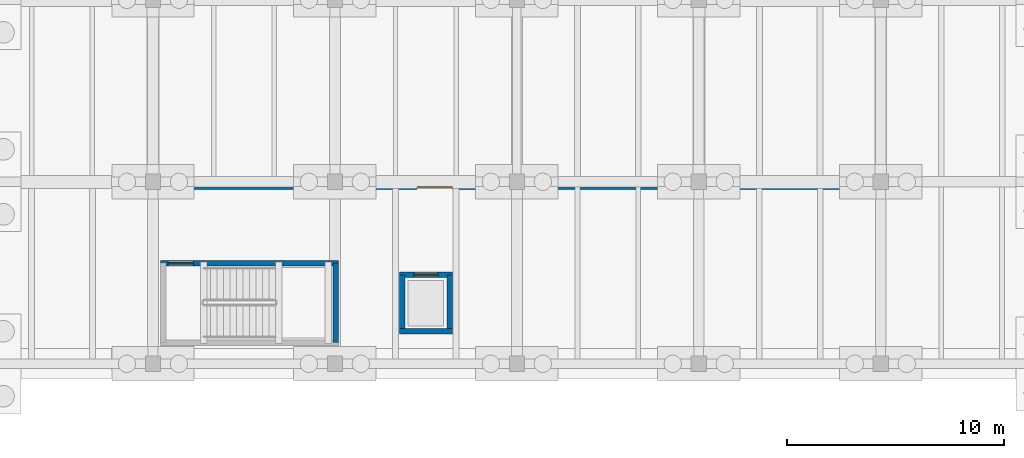
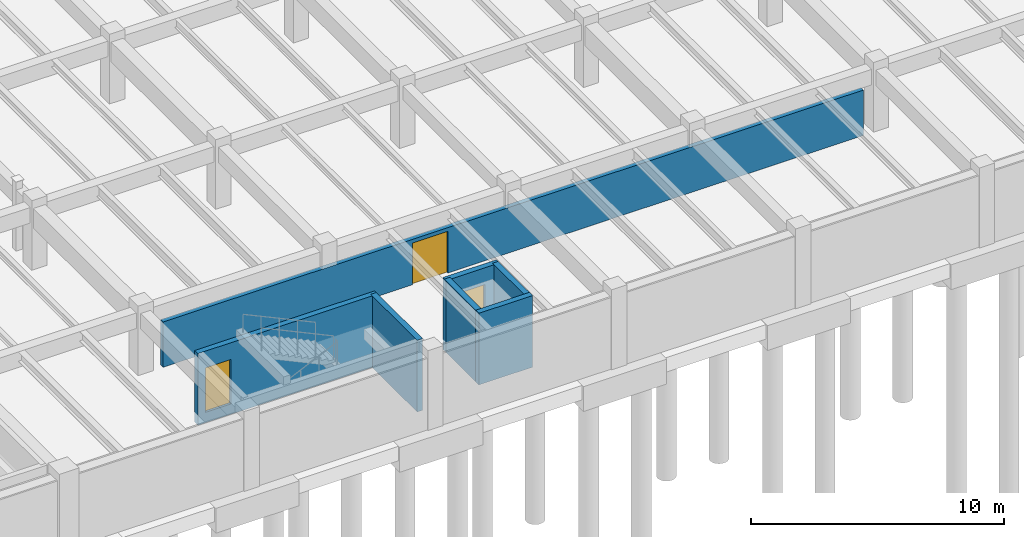
# One storey, part 43 of 70: 7 walls, 3 doors, 3 openings.
"""IFC4 building model written with IfcOpenShell, lengths in metres."""

from ifc_helpers import new_model, si_unit, direction, frame, frame_2d, origin, place, context, subcontext, project, spatial, rectangle, extrude, material, layer, layer_set, type_object, element, fill, save


model = new_model("IFC4")

# Units and contexts
model_context = context("Model", 3, precision=1e-05, world=origin(), true_north=direction((0.0, 1.0)))
body_context = subcontext(model_context, "Body", "Model", "MODEL_VIEW")
ifc_project = project(units=[si_unit("LENGTHUNIT", "METRE"), si_unit("AREAUNIT", "SQUARE_METRE"), si_unit("VOLUMEUNIT", "CUBIC_METRE"), si_unit("PLANEANGLEUNIT", "RADIAN"), si_unit("MASSUNIT", "GRAM", prefix="KILO")], contexts=[model_context])

# Site, building, storey
site_placement = place(None, origin())
site = spatial("IfcSite", under=ifc_project, at=site_placement, CompositionType="ELEMENT")
building_placement = place(site_placement, origin())
building = spatial("IfcBuilding", under=site, at=building_placement, Name="Cumbredor Promenade Congress Hotel", CompositionType="ELEMENT")
storey_placement = place(building_placement, frame((0.0, 0.0, -7.56005859375)))
storey = spatial("IfcBuildingStorey", under=building, at=storey_placement, Name="B02", CompositionType="ELEMENT", Elevation=-7.56005859375)

# Wall, opening, door
ifc_material_1 = material(Name="Concrete C40/50", Category="concrete")
ifc_layer_1 = layer(ifc_material_1, 0.199951171875, Name="Concrete C40/50", Category="concrete")
ifc_layer_set_1 = layer_set([ifc_layer_1], Name="Concrete C40/50")
wall_type_1 = type_object("IfcWallType", Name="WL-CORE-200", PredefinedType="SOLIDWALL", material=ifc_layer_set_1)
wall_1_placement = place(storey_placement, frame((76.39990234375, 16.550048828125, 0.0), z_axis=(0.0, 0.0, 1.0), x_axis=(1.0, 0.0, 0.0)))
wall_1 = element("IfcWall", 1, at=wall_1_placement, inside=storey, type_object=wall_type_1, Name="B02 Interior Partition W-B02-SPA-S", PredefinedType="SOLIDWALL", context=body_context, shape_type="SweptSolid", body=[
    extrude(rectangle(XDim=32.0, YDim=0.199951171875, at=frame_2d((16.0, 0.0))), origin(), (0.0, 0.0, 1.0), 2.195068359375),
])
opening_1_placement = place(wall_1_placement, frame((11.39990234375, 0.0, 0.0)))
opening_1 = element("IfcOpeningElement", 2, at=opening_1_placement, cuts=wall_1, Name="Opening FD-17", PredefinedType="OPENING", context=body_context, shape_type="SweptSolid", body=[
    extrude(rectangle(XDim=1.6201171875, YDim=2.02001953125, at=frame_2d((0.81005859375, 1.010009765625))), frame((0.0, 0.10986328125, 0.0), z_axis=(0.0, -1.0, 0.0), x_axis=(1.0, 0.0, 0.0)), (0.0, 0.0, 1.0), 0.219970703125),
])
ifc_material_2 = material(Name="Solid-core fire-rated tropical hardwood", Category="wood")
door_type_1 = type_object("IfcDoorType", Name="DR-DBL-FD60-1600-LO", OperationType="DOUBLE_DOOR_SINGLE_SWING", PredefinedType="DOOR", material=ifc_material_2)
door_1_placement = place(opening_1_placement, origin())
door_1 = element("IfcDoor", 3, at=door_1_placement, inside=storey, type_object=door_type_1, Name="B02 Interior Door W-B02-SPA-S-01", OperationType="DOUBLE_DOOR_SINGLE_SWING", OverallHeight=2.02001953125, OverallWidth=1.6201171875, PredefinedType="DOOR", context=body_context, shape_type="SweptSolid", body=[
    extrude(rectangle(XDim=1.6201171875, YDim=2.02001953125, at=frame_2d((0.81005859375, 1.010009765625))), frame((0.0, 0.02490234375, 0.0), z_axis=(0.0, -1.0, 0.0), x_axis=(1.0, 0.0, 0.0)), (0.0, 0.0, 1.0), 0.050048828125),
])
fill(opening_1, door_1)

ifc_layer_2 = layer(ifc_material_1, 0.2548828125, Name="Concrete C40/50", Category="concrete")
ifc_layer_set_2 = layer_set([ifc_layer_2], Name="Concrete C40/50")
wall_type_2 = type_object("IfcWallType", Name="WL-SHAFT-250", PredefinedType="SOLIDWALL", material=ifc_layer_set_2)
wall_2_placement = place(storey_placement, frame((75.952392578125, 13.050048828125, -0.5), z_axis=(0.0, 0.0, 1.0), x_axis=(1.0, 0.0, 0.0)))
wall_2 = element("IfcWall", 4, at=wall_2_placement, inside=storey, type_object=wall_type_2, Name="STAIR-ST-11-B02 Shaft Wall North", PredefinedType="SOLIDWALL", context=body_context, shape_type="SweptSolid", body=[
    extrude(rectangle(XDim=8.22509765625, YDim=0.2548828125, at=frame_2d((4.112548828125, 0.0))), origin(), (0.0, 0.0, 1.0), 3.4599609375),
])
opening_2_placement = place(wall_2_placement, frame((0.35009765625, 0.0, 0.5)))
opening_2 = element("IfcOpeningElement", 5, at=opening_2_placement, cuts=wall_2, Name="Opening SD-01", PredefinedType="OPENING", context=body_context, shape_type="SweptSolid", body=[
    extrude(rectangle(XDim=1.159912109375, YDim=2.14990234375, at=frame_2d((0.580078125, 1.074951171875))), frame((0.0, 0.137451171875, 0.0), z_axis=(0.0, -1.0, 0.0), x_axis=(1.0, 0.0, 0.0)), (0.0, 0.0, 1.0), 0.27490234375),
])
ifc_material_3 = material(Name="Painted galvanized steel fire door", Category="steel")
door_type_2 = type_object("IfcDoorType", Name="DR-STAIR-FD90-1150", OperationType="NOTDEFINED", PredefinedType="DOOR", material=ifc_material_3)
door_2_placement = place(opening_2_placement, origin())
door_2 = element("IfcDoor", 6, at=door_2_placement, inside=storey, type_object=door_type_2, Name="B02 Protected Exit Stair ST-11 Door", OperationType="SINGLE_SWING_RIGHT", OverallHeight=2.14990234375, OverallWidth=1.159912109375, PredefinedType="DOOR", context=body_context, shape_type="SweptSolid", body=[
    extrude(rectangle(XDim=1.159912109375, YDim=2.14990234375, at=frame_2d((0.580078125, 1.074951171875))), frame((0.0, 0.02490234375, 0.0), z_axis=(0.0, -1.0, 0.0), x_axis=(1.0, 0.0, 0.0)), (0.0, 0.0, 1.0), 0.050048828125),
])
fill(opening_2, door_2)

# Walls
wall_3_placement = place(storey_placement, frame((84.050048828125, 9.3798828125, -0.5), z_axis=(0.0, 0.0, 1.0), x_axis=(0.0, 1.0, 0.0)))
element("IfcWall", 7, at=wall_3_placement, inside=storey, type_object=wall_type_2, Name="STAIR-ST-11-B02 Shaft Wall East", PredefinedType="SOLIDWALL", context=body_context, shape_type="SweptSolid", body=[
    extrude(rectangle(XDim=3.670166015625, YDim=0.2548828125, at=frame_2d((1.8349609375, 0.0))), origin(), (0.0, 0.0, 1.0), 3.4599609375),
])
wall_4_placement = place(storey_placement, frame((86.972412109375, 9.89990234375, -0.5), z_axis=(0.0, 0.0, 1.0), x_axis=(1.0, 0.0, 0.0)))
element("IfcWall", 8, at=wall_4_placement, inside=storey, type_object=wall_type_2, Name="SHAFT-PL-08-B02 Shaft Wall South", PredefinedType="SOLIDWALL", context=body_context, shape_type="SweptSolid", body=[
    extrude(rectangle(XDim=2.455078125, YDim=0.2548828125, at=frame_2d((1.2275390625, 0.0))), origin(), (0.0, 0.0, 1.0), 3.4599609375),
])

# Wall, opening, door
wall_5_placement = place(storey_placement, frame((86.972412109375, 12.5, -0.5), z_axis=(0.0, 0.0, 1.0), x_axis=(1.0, 0.0, 0.0)))
wall_5 = element("IfcWall", 9, at=wall_5_placement, inside=storey, type_object=wall_type_2, Name="SHAFT-PL-08-B02 Shaft Wall North", PredefinedType="SOLIDWALL", context=body_context, shape_type="SweptSolid", body=[
    extrude(rectangle(XDim=2.455078125, YDim=0.2548828125, at=frame_2d((1.2275390625, 0.0))), origin(), (0.0, 0.0, 1.0), 3.4599609375),
])
opening_3_placement = place(wall_5_placement, frame((0.677490234375, 0.0, 0.5)))
opening_3 = element("IfcOpeningElement", 10, at=opening_3_placement, cuts=wall_5, Name="Opening LD-01", PredefinedType="OPENING", context=body_context, shape_type="SweptSolid", body=[
    extrude(rectangle(XDim=1.10009765625, YDim=2.14990234375, at=frame_2d((0.550048828125, 1.074951171875))), frame((0.0, 0.137451171875, 0.0), z_axis=(0.0, -1.0, 0.0), x_axis=(1.0, 0.0, 0.0)), (0.0, 0.0, 1.0), 0.27490234375),
])
ifc_material_4 = material(Name="Brushed stainless steel", Category="steel")
door_type_3 = type_object("IfcDoorType", Name="Lift Landing Sliding Door LD-01 1100x2150", OperationType="DOUBLE_DOOR_SLIDING", PredefinedType="DOOR", material=ifc_material_4)
door_3_placement = place(opening_3_placement, origin())
door_3 = element("IfcDoor", 11, at=door_3_placement, inside=storey, type_object=door_type_3, Name="B02 Spa Wellness Lift PL-08 Sliding Landing Door", OperationType="DOUBLE_DOOR_SLIDING", OverallHeight=2.14990234375, OverallWidth=1.10009765625, PredefinedType="DOOR", context=body_context, shape_type="SweptSolid", body=[
    extrude(rectangle(XDim=1.10009765625, YDim=2.14990234375, at=frame_2d((0.550048828125, 1.074951171875))), frame((0.0, 0.02490234375, 0.0), z_axis=(0.0, -1.0, 0.0), x_axis=(1.0, 0.0, 0.0)), (0.0, 0.0, 1.0), 0.050048828125),
])
fill(opening_3, door_3)

# Walls
for number, where, z_axis, x_axis, name in (
    (12, (87.10009765625, 9.89990234375, -0.5), (0.0, 0.0, 1.0), (0.0, 1.0, 0.0), "SHAFT-PL-08-B02 Shaft Wall West"),
    (13, (89.300048828125, 9.89990234375, -0.5), (0.0, 0.0, 1.0), (0.0, 1.0, 0.0), "SHAFT-PL-08-B02 Shaft Wall East"),
):
    element("IfcWall", number, at=place(storey_placement, frame(where, z_axis=z_axis, x_axis=x_axis)), inside=storey, type_object=wall_type_2, Name=name, PredefinedType="SOLIDWALL", context=body_context, shape_type="SweptSolid", body=[
        extrude(rectangle(XDim=2.60009765625, YDim=0.2548828125, at=frame_2d((1.300048828125, 0.0))), origin(), (0.0, 0.0, 1.0), 3.4599609375),
    ])

save(model, "model.ifc")
